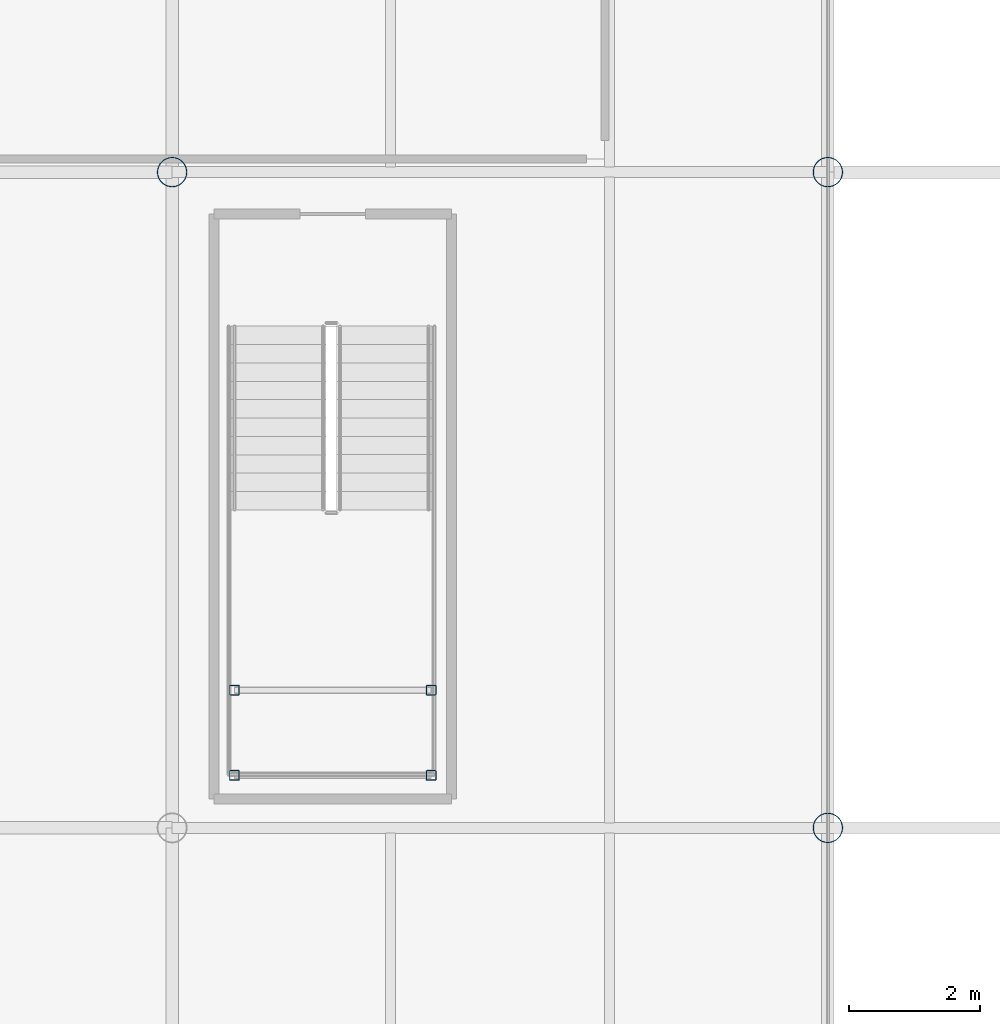
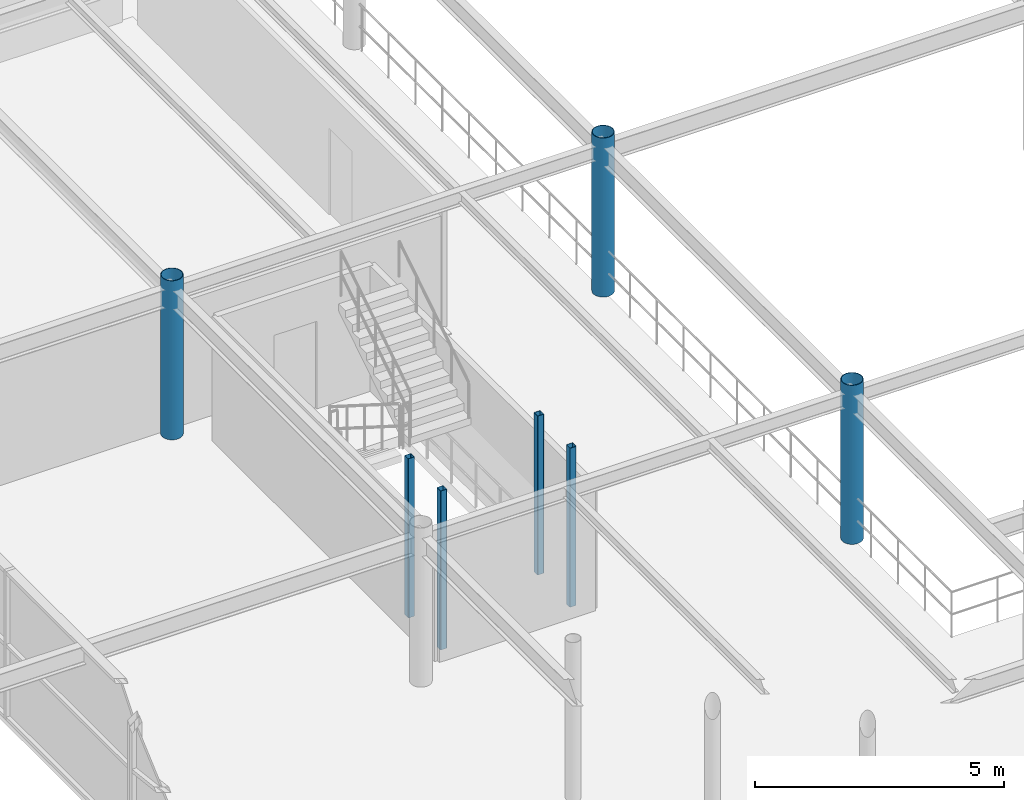
# One storey, part 8 of 98: 7 columns.
"""IFC4 building model written with IfcOpenShell, lengths in metres."""

from ifc_helpers import new_model, si_unit, derived_unit, direction, frame, origin, origin_2d_with_axis, place, context, subcontext, project, spatial, hollow_rectangle, hollow_circle, extrude, material, material_profile, profile_set, type_object, element, save


model = new_model("IFC4")

# Units and contexts
model_context = context("Model", 3, precision=1e-05, world=origin(), true_north=direction((0.0, 1.0)))
body_context = subcontext(model_context, "Body", "Model", "MODEL_VIEW")
ifc_project = project(units=[si_unit("LENGTHUNIT", "METRE"), si_unit("AREAUNIT", "SQUARE_METRE"), si_unit("VOLUMEUNIT", "CUBIC_METRE"), si_unit("PLANEANGLEUNIT", "RADIAN"), si_unit("MASSUNIT", "GRAM", prefix="KILO"), derived_unit("THERMALTRANSMITTANCEUNIT", [(si_unit("POWERUNIT", "WATT"), 1), (si_unit("LENGTHUNIT", "METRE"), -2), (si_unit("THERMODYNAMICTEMPERATUREUNIT", "KELVIN"), -1)])], contexts=[model_context])

# Site, building, storey
site_placement = place(None, origin())
site = spatial("IfcSite", under=ifc_project, at=site_placement, CompositionType="ELEMENT")
building_placement = place(site_placement, origin())
building = spatial("IfcBuilding", under=site, at=building_placement, Name="Cinnabar Yard Market Hall", CompositionType="ELEMENT")
storey_placement = place(building_placement, frame((0.0, 0.0, 4.5)))
storey = spatial("IfcBuildingStorey", under=building, at=storey_placement, Name="L01", CompositionType="ELEMENT", Elevation=4.5)

# Columns
ifc_material_1 = material(Name="Spotted-gum glulam-clad steel Grade 350 (350 MPa)", Category="steel")
ifc_material_profile_1 = material_profile(ifc_material_1, hollow_circle(Radius=0.228515625, WallThickness=0.0126953125, at=origin_2d_with_axis()), Name="457.0x12.7CHS")
ifc_profile_set_1 = profile_set([ifc_material_profile_1], Name="Spotted-gum glulam-clad steel Grade 350 (350 MPa)")
column_type_1 = type_object("IfcColumnType", Name="COL-C01", PredefinedType="COLUMN", material=ifc_profile_set_1)
for number, where, z_axis, x_axis, name in (
    (1, (76.0, 44.0, 0.0), (0.0, 0.0, 1.0), (1.0, 0.0, 0.0), "Tree Column V1I-01-03 L01"),
    (2, (86.0, 34.0, 0.0), (0.0, 0.0, 1.0), (1.0, 0.0, 0.0), "Tree Column V1I-02-02 L01"),
    (3, (86.0, 44.0, 0.0), (0.0, 0.0, 1.0), (1.0, 0.0, 0.0), "Tree Column V1I-02-03 L01"),
):
    element("IfcColumn", number, at=place(storey_placement, frame(where, z_axis=z_axis, x_axis=x_axis)), inside=storey, type_object=column_type_1, Name=name, PredefinedType="COLUMN", context=body_context, shape_type="SweptSolid", body=[
        extrude(hollow_circle(Radius=0.228515625, WallThickness=0.0126953125, at=origin_2d_with_axis()), origin(), (0.0, 0.0, 1.0), 3.89990234375),
    ])
ifc_material_2 = material(Name="Cold-formed steel C350L0", Category="steel")
ifc_material_profile_2 = material_profile(ifc_material_2, hollow_rectangle(XDim=0.14990234375, YDim=0.14990234375, WallThickness=0.006103515625, InnerFilletRadius=0.006103515625, OuterFilletRadius=0.011962890625, at=origin_2d_with_axis()), Name="150x150x6.0SHS")
ifc_profile_set_2 = profile_set([ifc_material_profile_2], Name="Cold-formed steel C350L0")
column_type_2 = type_object("IfcColumnType", Name="COL-C16", PredefinedType="COLUMN", material=ifc_profile_set_2)
for number, where, z_axis, x_axis, name in (
    (4, (76.949951171875, 34.800048828125, 0.0), (0.0, 0.0, 1.0), (1.0, 0.0, 0.0), "Feature Stair Post ST-F1-1 L01"),
    (5, (79.949951171875, 34.800048828125, 0.0), (0.0, 0.0, 1.0), (1.0, 0.0, 0.0), "Feature Stair Post ST-F1-2 L01"),
    (6, (76.949951171875, 36.10009765625, 0.0), (0.0, 0.0, 1.0), (1.0, 0.0, 0.0), "Feature Stair Post ST-F1-3 L01"),
    (7, (79.949951171875, 36.10009765625, 0.0), (0.0, 0.0, 1.0), (1.0, 0.0, 0.0), "Feature Stair Post ST-F1-4 L01"),
):
    element("IfcColumn", number, at=place(storey_placement, frame(where, z_axis=z_axis, x_axis=x_axis)), inside=storey, type_object=column_type_2, Name=name, PredefinedType="COLUMN", context=body_context, shape_type="SweptSolid", body=[
        extrude(hollow_rectangle(XDim=0.14990234375, YDim=0.14990234375, WallThickness=0.006103515625, InnerFilletRadius=0.006103515625, OuterFilletRadius=0.011962890625, at=origin_2d_with_axis()), origin(), (0.0, 0.0, 1.0), 3.89990234375),
    ])

save(model, "model.ifc")
